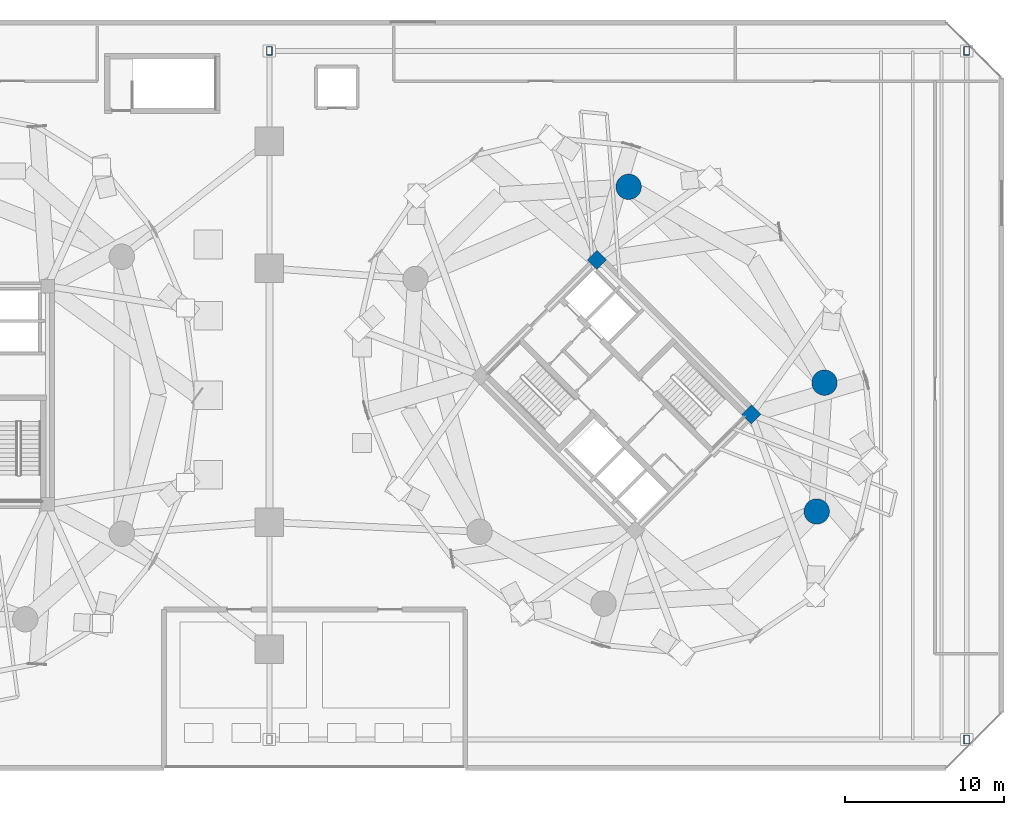
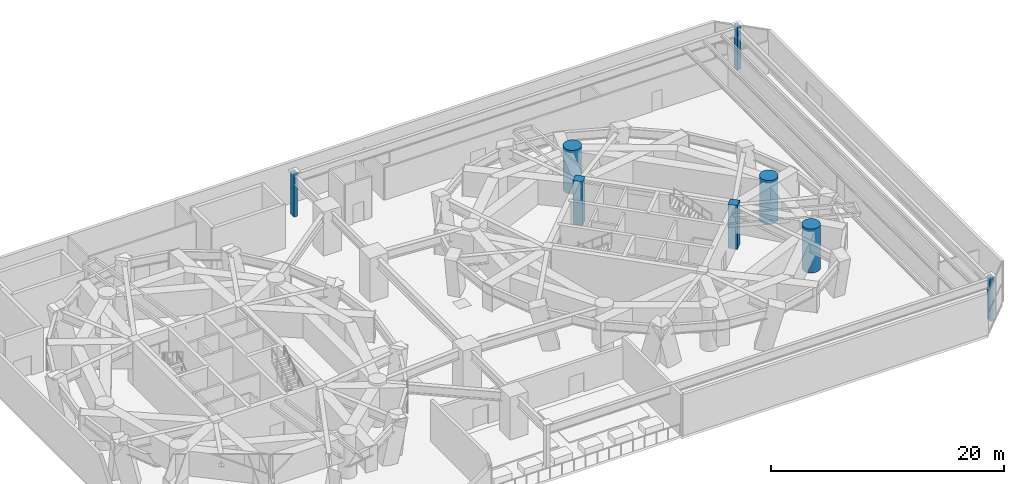
# One storey, part 2 of 25: 8 columns.
"""IFC4 building model written with IfcOpenShell, lengths in metres."""

from ifc_helpers import new_model, si_unit, direction, frame, origin, origin_2d, place, context, subcontext, project, spatial, rectangle, hollow_rectangle, circle, extrude, material, material_profile, profile_set, type_object, element, save


model = new_model("IFC4")

# Units and contexts
model_context = context("Model", 3, precision=1e-05, world=origin(), true_north=direction((0.0, 1.0)))
body_context = subcontext(model_context, "Body", "Model", "MODEL_VIEW")
ifc_project = project(units=[si_unit("LENGTHUNIT", "METRE"), si_unit("AREAUNIT", "SQUARE_METRE"), si_unit("VOLUMEUNIT", "CUBIC_METRE"), si_unit("PLANEANGLEUNIT", "RADIAN"), si_unit("MASSUNIT", "GRAM", prefix="KILO")], contexts=[model_context])

# Site, building, storey
site_placement = place(None, origin())
site = spatial("IfcSite", under=ifc_project, at=site_placement, CompositionType="ELEMENT")
building_placement = place(site_placement, origin())
building = spatial("IfcBuilding", under=site, at=building_placement, Name="Cununo Teusaquillo Station Towers", CompositionType="ELEMENT")
storey_placement = place(building_placement, frame((0.0, 0.0, 17.39990234375)))
storey = spatial("IfcBuildingStorey", under=building, at=storey_placement, Name="L04", CompositionType="ELEMENT", Elevation=17.39990234375)

# Columns
ifc_material_1 = material(Name="Concrete C50/60", Category="concrete")
ifc_material_profile_1 = material_profile(ifc_material_1, rectangle(XDim=0.85009765625, YDim=0.85009765625, at=origin_2d()), Name="RC-RECT-850x850")
ifc_profile_set_1 = profile_set([ifc_material_profile_1], Name="Concrete C50/60")
column_type_1 = type_object("IfcColumnType", Name="COL-CORE-Z1", PredefinedType="COLUMN", material=ifc_profile_set_1)
for number, where, z_axis, x_axis, name in (
    (1, (66.024169921875, 23.29443359375, 0.0), (0.0, 0.0, 1.0), (0.707106781187, 0.707106781187, 0.0), "L04 Tower B Core Column 3"),
    (2, (56.29443359375, 33.024169921875, 0.0), (0.0, 0.0, 1.0), (0.707106781187, 0.707106781187, 0.0), "L04 Tower B Core Column 4"),
):
    element("IfcColumn", number, at=place(storey_placement, frame(where, z_axis=z_axis, x_axis=x_axis)), inside=storey, type_object=column_type_1, Name=name, PredefinedType="COLUMN", context=body_context, shape_type="SweptSolid", body=[
        extrude(rectangle(XDim=0.85009765625, YDim=0.85009765625, at=origin_2d()), origin(), (0.0, 0.0, 1.0), 4.60009765625),
    ])
ifc_material_2 = material(Name="Concrete C60/75", Category="concrete")
ifc_material_profile_2 = material_profile(ifc_material_2, circle(Radius=0.800048828125, at=origin_2d()), Name="RC-CIRC-1600")
ifc_profile_set_2 = profile_set([ifc_material_profile_2], Name="Concrete C60/75")
column_type_2 = type_object("IfcColumnType", Name="COL-MEGA-POD", PredefinedType="USERDEFINED", material=ifc_profile_set_2)
for number, where, z_axis, x_axis, name in (
    (3, (58.291015625, 37.63525390625, 0.0), (0.0, 0.0, 1.0), (1.0, 0.0, 0.0), "L04 Tower B Perimeter Column V02"),
    (4, (70.146240234375, 17.173095703125, 0.0), (0.0, 0.0, 1.0), (1.0, 0.0, 0.0), "L04 Tower B Perimeter Column V16"),
    (5, (70.63525390625, 25.291015625, 0.0), (0.0, 0.0, 1.0), (1.0, 0.0, 0.0), "L04 Tower B Perimeter Column V18"),
):
    element("IfcColumn", number, at=place(storey_placement, frame(where, z_axis=z_axis, x_axis=x_axis)), inside=storey, type_object=column_type_2, Name=name, ObjectType="MEGA COLUMN", PredefinedType="USERDEFINED", context=body_context, shape_type="SweptSolid", body=[
        extrude(circle(Radius=0.800048828125, at=origin_2d()), origin(), (0.0, 0.0, 1.0), 4.60009765625),
    ])
ifc_material_3 = material(Name="Steel ASTM A572 Grade 50", Category="steel")
ifc_material_profile_3 = material_profile(ifc_material_3, hollow_rectangle(XDim=0.35009765625, YDim=0.550048828125, WallThickness=0.02197265625, at=origin_2d()), Name="RHS 550x350x22")
ifc_profile_set_3 = profile_set([ifc_material_profile_3], Name="Steel ASTM A572 Grade 50")
column_type_3 = type_object("IfcColumnType", Name="COL-PILASTER", PredefinedType="PILASTER", material=ifc_profile_set_3)
for number, where, z_axis, x_axis, name in (
    (6, (35.64990234375, 46.199951171875, 0.0), (0.0, 0.0, 1.0), (1.0, 0.0, 0.0), "L04 Station Hall Pilaster PIL-NW"),
    (7, (79.60009765625, 46.199951171875, 0.0), (0.0, 0.0, 1.0), (1.0, 0.0, 0.0), "L04 Station Hall Pilaster PIL-NE"),
    (8, (79.60009765625, 2.800048828125, 0.0), (0.0, 0.0, 1.0), (1.0, 0.0, 0.0), "L04 Station Hall Pilaster PIL-SE"),
):
    element("IfcColumn", number, at=place(storey_placement, frame(where, z_axis=z_axis, x_axis=x_axis)), inside=storey, type_object=column_type_3, Name=name, PredefinedType="PILASTER", context=body_context, shape_type="SweptSolid", body=[
        extrude(hollow_rectangle(XDim=0.35009765625, YDim=0.550048828125, WallThickness=0.02197265625, at=origin_2d()), origin(), (0.0, 0.0, 1.0), 4.60009765625),
    ])

save(model, "model.ifc")
